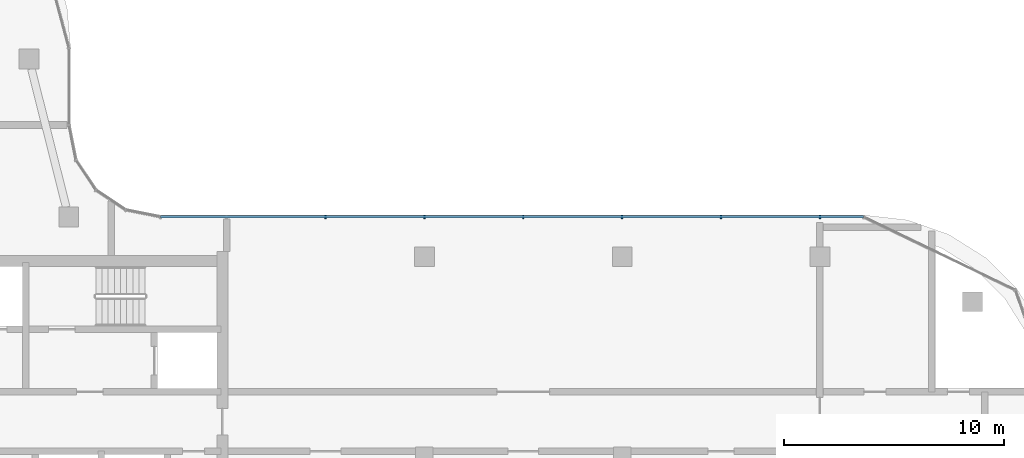
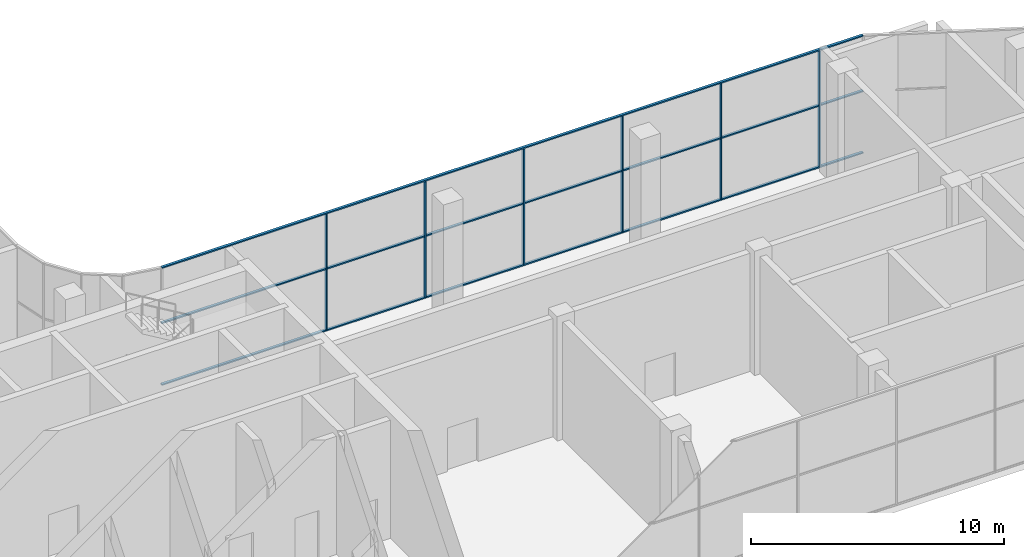
# One storey, part 8 of 19: 9 members, 1 element without a shape of its own.
"""IFC4 building model written with IfcOpenShell, lengths in metres."""

from ifc_helpers import new_model, si_unit, direction, frame, origin, origin_2d, place, context, subcontext, project, spatial, rectangle, extrude, material, material_profile, profile_set, type_object, element, aggregate, save


model = new_model("IFC4")

# Units and contexts
model_context = context("Model", 3, precision=1e-05, world=origin(), true_north=direction((0.0, 1.0)))
body_context = subcontext(model_context, "Body", "Model", "MODEL_VIEW")
ifc_project = project(units=[si_unit("LENGTHUNIT", "METRE"), si_unit("AREAUNIT", "SQUARE_METRE"), si_unit("VOLUMEUNIT", "CUBIC_METRE"), si_unit("PLANEANGLEUNIT", "RADIAN"), si_unit("MASSUNIT", "GRAM", prefix="KILO")], contexts=[model_context])

# Site, building, storey
site_placement = place(None, origin())
site = spatial("IfcSite", under=ifc_project, at=site_placement, CompositionType="ELEMENT")
building_placement = place(site_placement, origin())
building = spatial("IfcBuilding", under=site, at=building_placement, Name="Ogive Portal Towers", CompositionType="ELEMENT")
storey_placement = place(building_placement, frame((0.0, 0.0, 254.89990234375)))
storey = spatial("IfcBuildingStorey", under=building, at=storey_placement, Name="L63", CompositionType="ELEMENT", Elevation=254.89990234375)

# Curtain wall, members
ifc_material_1 = material(Name="Glass, clear low-iron insulated glazing", Category="glass")
curtain_wall_type = type_object("IfcCurtainWallType", Name="CW OBSERVATION WALL", PredefinedType="NOTDEFINED", material=ifc_material_1)
curtain_wall_placement = place(storey_placement, origin())
curtain_wall = element("IfcCurtainWall", 1, at=curtain_wall_placement, inside=storey, type_object=curtain_wall_type, Name="A:L63:f13:cw0", PredefinedType="NOTDEFINED")
ifc_material_2 = material(Name="Aluminium 6063 anodised", Category="aluminium")
ifc_material_profile_1 = material_profile(ifc_material_2, rectangle(XDim=0.159912109375, YDim=0.06005859375, at=origin_2d()), Name="AL 60x160")
ifc_profile_set_1 = profile_set([ifc_material_profile_1], Name="Aluminium 6063 anodised")
member_type_1 = type_object("IfcMemberType", Name="CW MULLION 60x160", PredefinedType="MULLION", material=ifc_profile_set_1)
member_1_placement = place(storey_placement, frame((85.5, 41.320068359375, 0.06005859375), z_axis=(0.0, 0.0, 1.0), x_axis=(0.0, -1.0, 0.0)))
member_1 = element("IfcMember", 2, at=member_1_placement, type_object=member_type_1, Name="mullion", PredefinedType="MULLION", context=body_context, shape_type="SweptSolid", body=[
    extrude(rectangle(XDim=0.159912109375, YDim=0.06005859375, at=origin_2d()), origin(), (0.0, 0.0, 1.0), 5.580078125),
])
member_2_placement = place(storey_placement, frame((81.0, 41.320068359375, 0.06005859375), z_axis=(0.0, 0.0, 1.0), x_axis=(0.0, -1.0, 0.0)))
member_2 = element("IfcMember", 3, at=member_2_placement, type_object=member_type_1, Name="mullion", PredefinedType="MULLION", context=body_context, shape_type="SweptSolid", body=[
    extrude(rectangle(XDim=0.159912109375, YDim=0.06005859375, at=origin_2d()), origin(), (0.0, 0.0, 1.0), 5.580078125),
])
member_3_placement = place(storey_placement, frame((76.5, 41.320068359375, 0.06005859375), z_axis=(0.0, 0.0, 1.0), x_axis=(0.0, -1.0, 0.0)))
member_3 = element("IfcMember", 4, at=member_3_placement, type_object=member_type_1, Name="mullion", PredefinedType="MULLION", context=body_context, shape_type="SweptSolid", body=[
    extrude(rectangle(XDim=0.159912109375, YDim=0.06005859375, at=origin_2d()), origin(), (0.0, 0.0, 1.0), 5.580078125),
])
member_4_placement = place(storey_placement, frame((72.0, 41.320068359375, 0.06005859375), z_axis=(0.0, 0.0, 1.0), x_axis=(0.0, -1.0, 0.0)))
member_4 = element("IfcMember", 5, at=member_4_placement, type_object=member_type_1, Name="mullion", PredefinedType="MULLION", context=body_context, shape_type="SweptSolid", body=[
    extrude(rectangle(XDim=0.159912109375, YDim=0.06005859375, at=origin_2d()), origin(), (0.0, 0.0, 1.0), 5.580078125),
])
member_5_placement = place(storey_placement, frame((67.5, 41.320068359375, 0.06005859375), z_axis=(0.0, 0.0, 1.0), x_axis=(0.0, -1.0, 0.0)))
member_5 = element("IfcMember", 6, at=member_5_placement, type_object=member_type_1, Name="mullion", PredefinedType="MULLION", context=body_context, shape_type="SweptSolid", body=[
    extrude(rectangle(XDim=0.159912109375, YDim=0.06005859375, at=origin_2d()), origin(), (0.0, 0.0, 1.0), 5.580078125),
])
member_6_placement = place(storey_placement, frame((63.0, 41.320068359375, 0.06005859375), z_axis=(0.0, 0.0, 1.0), x_axis=(0.0, -1.0, 0.0)))
member_6 = element("IfcMember", 7, at=member_6_placement, type_object=member_type_1, Name="mullion", PredefinedType="MULLION", context=body_context, shape_type="SweptSolid", body=[
    extrude(rectangle(XDim=0.159912109375, YDim=0.06005859375, at=origin_2d()), origin(), (0.0, 0.0, 1.0), 5.580078125),
])
ifc_material_profile_2 = material_profile(ifc_material_2, rectangle(XDim=0.1201171875, YDim=0.06005859375, at=origin_2d()), Name="AL 120x60")
ifc_profile_set_2 = profile_set([ifc_material_profile_2], Name="Aluminium 6063 anodised")
member_type_2 = type_object("IfcMemberType", Name="CW TRANSOM 60x120", PredefinedType="USERDEFINED", material=ifc_profile_set_2)
member_7_placement = place(storey_placement, frame((87.481689453125, 41.320068359375, 0.030029296875), z_axis=(-1.0, 0.0, 0.0), x_axis=(0.0, -1.0, 0.0)))
member_7 = element("IfcMember", 8, at=member_7_placement, type_object=member_type_2, Name="transom", ObjectType="TRANSOM", PredefinedType="USERDEFINED", context=body_context, shape_type="SweptSolid", body=[
    extrude(rectangle(XDim=0.1201171875, YDim=0.06005859375, at=origin_2d()), origin(), (0.0, 0.0, 1.0), 31.989501953125),
])
member_8_placement = place(storey_placement, frame((87.481689453125, 41.320068359375, 3.0), z_axis=(-1.0, 0.0, 0.0), x_axis=(0.0, -1.0, 0.0)))
member_8 = element("IfcMember", 9, at=member_8_placement, type_object=member_type_2, Name="transom", ObjectType="TRANSOM", PredefinedType="USERDEFINED", context=body_context, shape_type="SweptSolid", body=[
    extrude(rectangle(XDim=0.1201171875, YDim=0.06005859375, at=origin_2d()), origin(), (0.0, 0.0, 1.0), 31.989501953125),
])
member_9_placement = place(storey_placement, frame((87.481689453125, 41.320068359375, 5.670166015625), z_axis=(-1.0, 0.0, 0.0), x_axis=(0.0, -1.0, 0.0)))
member_9 = element("IfcMember", 10, at=member_9_placement, type_object=member_type_2, Name="transom", ObjectType="TRANSOM", PredefinedType="USERDEFINED", context=body_context, shape_type="SweptSolid", body=[
    extrude(rectangle(XDim=0.1201171875, YDim=0.06005859375, at=origin_2d()), origin(), (0.0, 0.0, 1.0), 31.989501953125),
])
aggregate(curtain_wall, [member_7, member_8, member_9, member_1, member_2, member_3, member_4, member_5, member_6])

save(model, "model.ifc")
